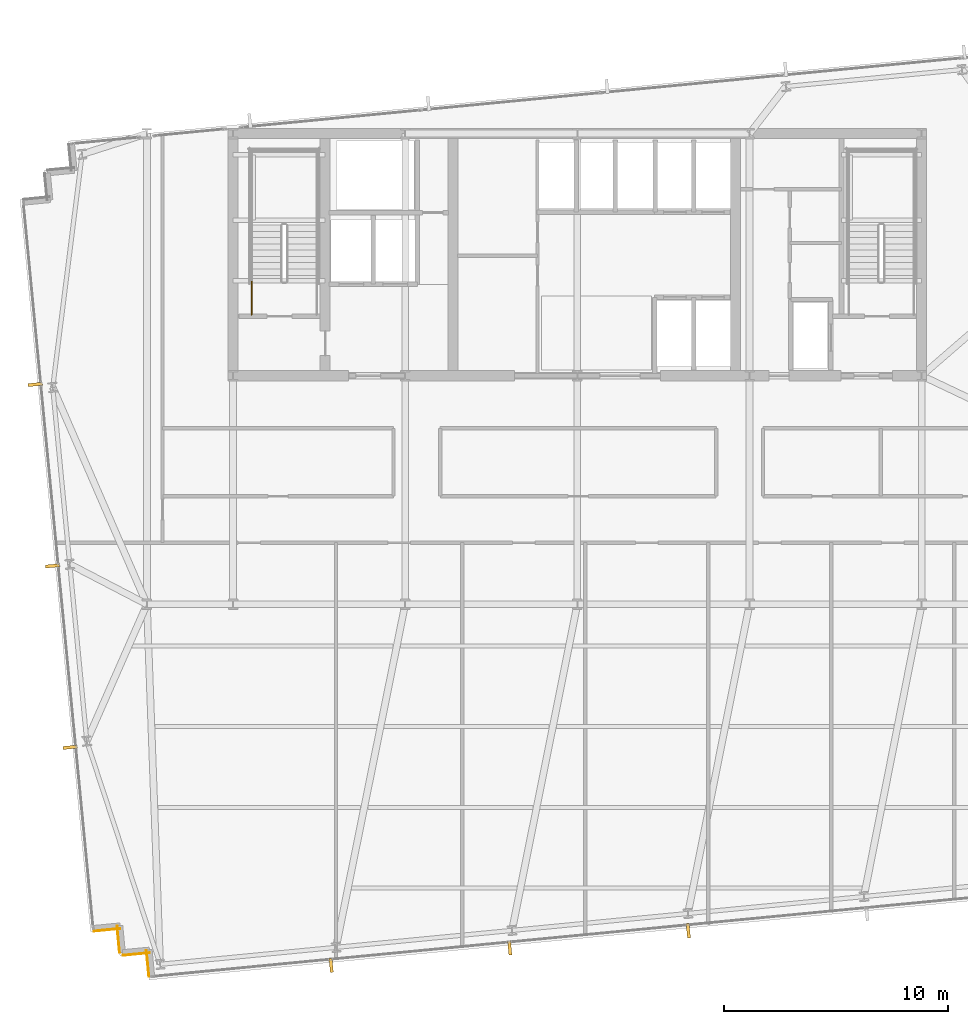
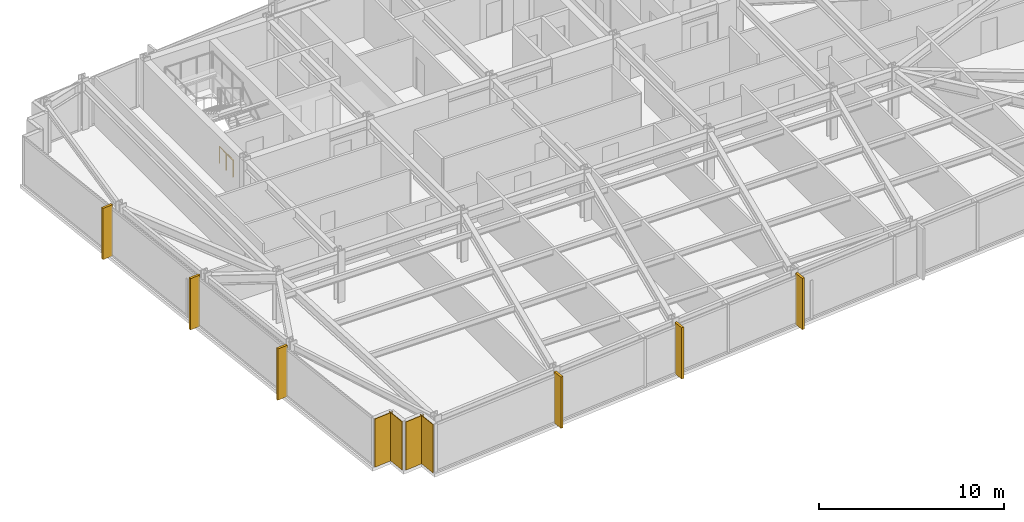
# One storey, part 27 of 32: 6 shading devices, 4 coverings, 1 railing.
"""IFC4 building model written with IfcOpenShell, lengths in metres."""

from ifc_helpers import new_model, si_unit, direction, frame, frame_2d, origin, origin_2d, place, context, subcontext, project, spatial, rectangle, circle, extrude, material, layer, layer_set, type_object, element, save


model = new_model("IFC4")

# Units and contexts
model_context = context("Model", 3, precision=1e-05, world=origin(), true_north=direction((0.0, 1.0)))
body_context = subcontext(model_context, "Body", "Model", "MODEL_VIEW")
ifc_project = project(units=[si_unit("LENGTHUNIT", "METRE"), si_unit("AREAUNIT", "SQUARE_METRE"), si_unit("VOLUMEUNIT", "CUBIC_METRE"), si_unit("PLANEANGLEUNIT", "RADIAN"), si_unit("MASSUNIT", "GRAM", prefix="KILO")], contexts=[model_context])

# Site, building, storey
site_placement = place(None, origin())
site = spatial("IfcSite", under=ifc_project, at=site_placement, CompositionType="ELEMENT")
building_placement = place(site_placement, origin())
building = spatial("IfcBuilding", under=site, at=building_placement, Name="Yelkora Congress Tower", CompositionType="ELEMENT")
storey_placement = place(building_placement, frame((0.0, 0.0, 130.5)))
storey = spatial("IfcBuildingStorey", under=building, at=storey_placement, Name="L35", CompositionType="ELEMENT", Elevation=130.5)

# Coverings
ifc_material_1 = material(Name="Anatolian bush-hammered limestone", Category="masonry")
ifc_layer_1 = layer(ifc_material_1, 0.0400390625)
ifc_layer_set_1 = layer_set([ifc_layer_1], Name="Anatolian bush-hammered limestone")
covering_type = type_object("IfcCoveringType", Name="COV-CLAD-SPANDREL-40", PredefinedType="CLADDING", material=ifc_layer_set_1)
covering_1_placement = place(storey_placement, frame((19.29248046875, 8.58447265625, 0.0), z_axis=(0.0, 0.0, 1.0), x_axis=(-0.095836473879, 0.995397091755, 0.0)))
element("IfcCovering", 1, at=covering_1_placement, inside=storey, type_object=covering_type, Name="L35 Anatolian Limestone Cladding EW-L35-SR01", PredefinedType="CLADDING", context=body_context, shape_type="SweptSolid", body=[
    extrude(rectangle(XDim=1.199951171875, YDim=0.0400390625, at=frame_2d((0.60009765625, 0.0))), origin(), (0.0, 0.0, 1.0), 3.179931640625),
])
for number, where, z_axis, x_axis, name in (
    (2, (19.32470703125, 9.657470703125, 0.0), (0.0, 0.0, 1.0), (-0.995398960025, -0.095817067274, 0.0), "L35 Anatolian Limestone Cladding EW-L35-SR02"),
    (3, (17.98291015625, 9.663818359375, 0.0), (0.0, 0.0, 1.0), (-0.095817067274, 0.995398960025, 0.0), "L35 Anatolian Limestone Cladding EW-L35-SR03"),
):
    element("IfcCovering", number, at=place(storey_placement, frame(where, z_axis=z_axis, x_axis=x_axis)), inside=storey, type_object=covering_type, Name=name, PredefinedType="CLADDING", context=body_context, shape_type="SweptSolid", body=[
        extrude(rectangle(XDim=1.2001953125, YDim=0.0400390625, at=frame_2d((0.60009765625, 0.0))), origin(), (0.0, 0.0, 1.0), 3.179931640625),
    ])
covering_2_placement = place(storey_placement, frame((18.01513671875, 10.737060546875, 0.0), z_axis=(0.0, 0.0, 1.0), x_axis=(-0.995397091755, -0.095836473879, 0.0)))
element("IfcCovering", 4, at=covering_2_placement, inside=storey, type_object=covering_type, Name="L35 Anatolian Limestone Cladding EW-L35-SR04", PredefinedType="CLADDING", context=body_context, shape_type="SweptSolid", body=[
    extrude(rectangle(XDim=1.199951171875, YDim=0.0400390625, at=frame_2d((0.60009765625, 0.0))), origin(), (0.0, 0.0, 1.0), 3.179931640625),
])

# Railing
ifc_material_2 = material(Name="Painted galvanised steel stair well guard with vertical infill", Category="steel")
ifc_layer_2 = layer(ifc_material_2, 0.06005859375)
ifc_layer_set_2 = layer_set([ifc_layer_2], Name="Painted galvanised steel stair well guard with vertical infill")
railing_type = type_object("IfcRailingType", Name="RAIL-STAIR-GUARD-1120", PredefinedType="GUARDRAIL", material=ifc_layer_set_2)
railing_placement = place(storey_placement, frame((23.8701171875, 38.1201171875, 0.0)))
element("IfcRailing", 5, at=railing_placement, inside=storey, type_object=railing_type, Name="ST-01 L35 Stair Well Guardrail 9", PredefinedType="GUARDRAIL", context=body_context, shape_type="SweptSolid", body=[
    extrude(circle(Radius=0.02392578125, at=origin_2d()), frame((0.0, 0.0, 1.09619140625), z_axis=(0.0, 1.0, 0.0), x_axis=(-1.0, 0.0, 0.0)), (0.0, 0.0, 1.0), 1.47998046875),
    extrude(circle(Radius=0.02099609375, at=origin_2d()), origin(), (0.0, 0.0, 1.0), 1.072021484375),
    extrude(circle(Radius=0.02099609375, at=origin_2d()), frame((0.0, 0.739990234375, 0.0)), (0.0, 0.0, 1.0), 1.072021484375),
    extrude(circle(Radius=0.02099609375, at=origin_2d()), frame((0.0, 1.47998046875, 0.0)), (0.0, 0.0, 1.0), 1.072021484375),
])

# Shading devices
ifc_material_3 = material(Name="Champagne anodised aluminium", Category="aluminium")
ifc_layer_3 = layer(ifc_material_3, 3.39990234375)
ifc_layer_set_3 = layer_set([ifc_layer_3], Name="Champagne anodised aluminium")
shading_device_type = type_object("IfcShadingDeviceType", Name="SHD-FIN-ALU-640", PredefinedType="USERDEFINED", material=ifc_layer_set_3)
for number, where, z_axis, x_axis, name in (
    (6, (15.769775390625, 18.823974609375, -0.030029296875), (0.0, 0.0, 1.0), (-0.09584575252, 0.995396198367, 0.0), "L35 Vertical Anodised Solar Fin 5-1"),
    (7, (14.990478515625, 26.91650390625, -0.030029296875), (0.0, 0.0, 1.0), (-0.09584575252, 0.995396198367, 0.0), "L35 Vertical Anodised Solar Fin 5-2"),
    (8, (14.211181640625, 35.00927734375, -0.030029296875), (0.0, 0.0, 1.0), (-0.09584575252, 0.995396198367, 0.0), "L35 Vertical Anodised Solar Fin 5-3"),
    (9, (43.349609375, 10.639892578125, -0.030029296875), (0.0, 0.0, 1.0), (-0.995396198367, -0.09584575252, 0.0), "L35 Vertical Anodised Solar Fin 20-4"),
    (10, (35.3837890625, 9.872802734375, -0.030029296875), (0.0, 0.0, 1.0), (-0.995396198367, -0.09584575252, 0.0), "L35 Vertical Anodised Solar Fin 20-5"),
    (11, (27.417724609375, 9.105712890625, -0.030029296875), (0.0, 0.0, 1.0), (-0.995396198367, -0.09584575252, 0.0), "L35 Vertical Anodised Solar Fin 20-6"),
):
    element("IfcShadingDevice", number, at=place(storey_placement, frame(where, z_axis=z_axis, x_axis=x_axis)), inside=storey, type_object=shading_device_type, Name=name, ObjectType="FIN", PredefinedType="USERDEFINED", context=body_context, shape_type="SweptSolid", body=[
        extrude(rectangle(XDim=0.139892578125, YDim=0.639892578125, at=origin_2d()), origin(), (0.0, 0.0, 1.0), 3.3798828125),
    ])

save(model, "model.ifc")
